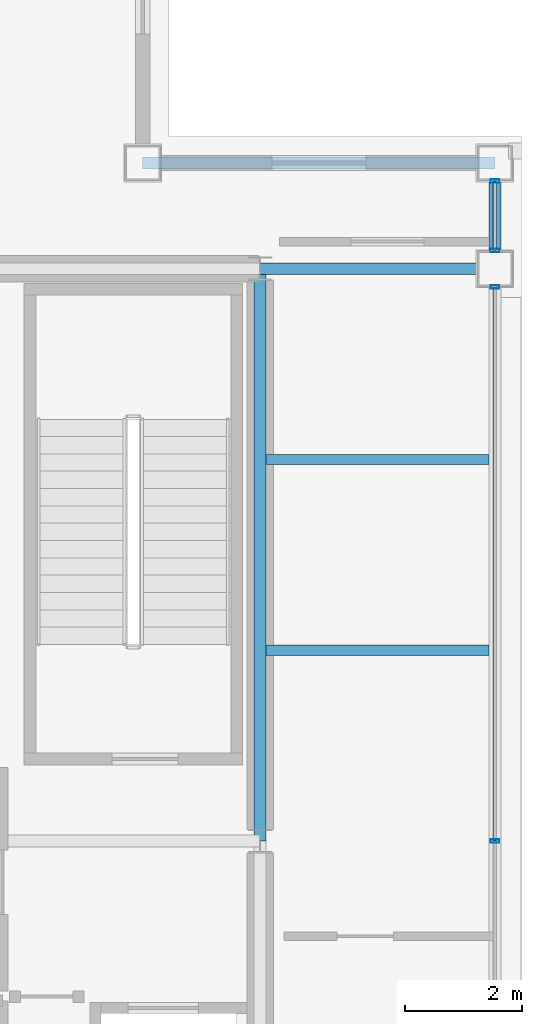
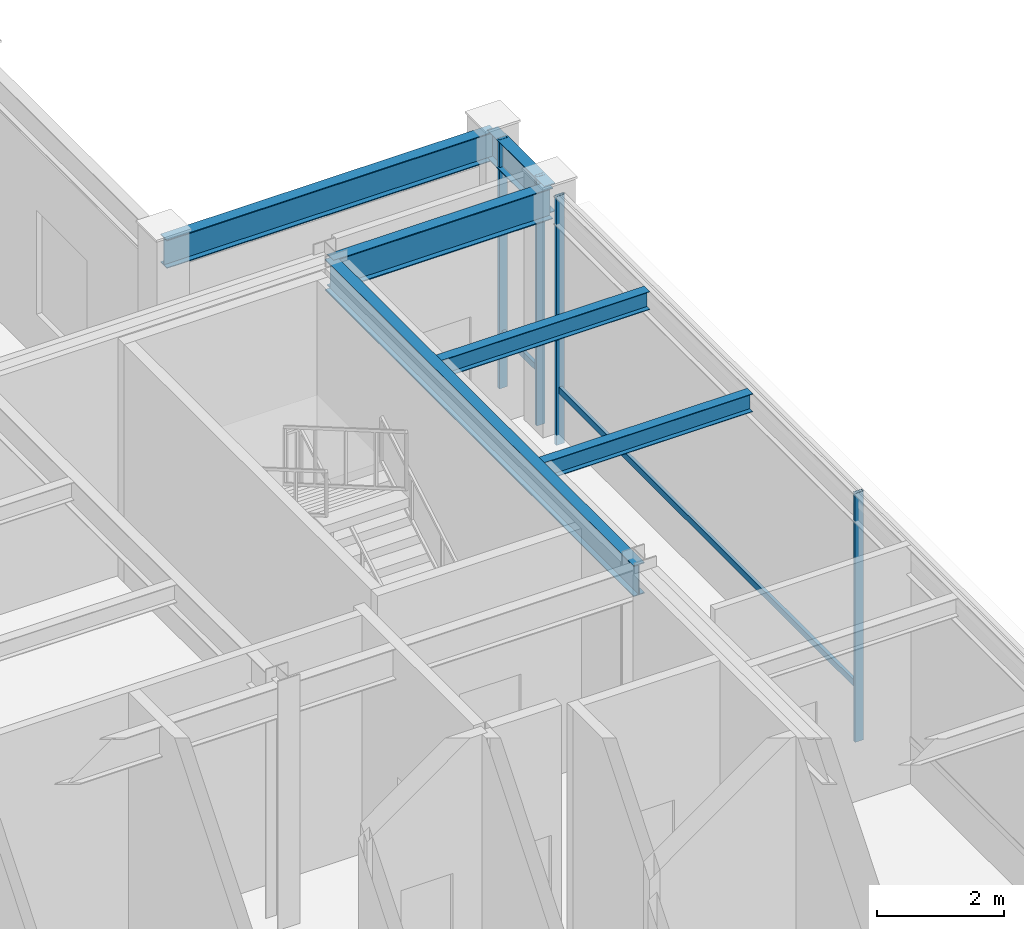
# One storey, part 12 of 21: 6 beams, 6 members, 2 elements without a shape of their own.
"""IFC4 building model written with IfcOpenShell, lengths in metres."""

from ifc_helpers import new_model, si_unit, direction, frame, origin, origin_2d, place, context, subcontext, project, spatial, hollow_rectangle, i_section, extrude, material, layer, layer_set, material_profile, profile_set, type_object, element, aggregate, save


model = new_model("IFC4")

# Units and contexts
model_context = context("Model", 3, precision=1e-05, world=origin(), true_north=direction((0.0, 1.0)))
body_context = subcontext(model_context, "Body", "Model", "MODEL_VIEW")
ifc_project = project(units=[si_unit("LENGTHUNIT", "METRE"), si_unit("AREAUNIT", "SQUARE_METRE"), si_unit("VOLUMEUNIT", "CUBIC_METRE"), si_unit("PLANEANGLEUNIT", "RADIAN"), si_unit("MASSUNIT", "GRAM", prefix="KILO")], contexts=[model_context])

# Site, building, storey
site_placement = place(None, origin())
site = spatial("IfcSite", under=ifc_project, at=site_placement, CompositionType="ELEMENT")
building_placement = place(site_placement, origin())
building = spatial("IfcBuilding", under=site, at=building_placement, Name="Brelmoor Portico Tower", CompositionType="ELEMENT")
storey_placement = place(building_placement, frame((0.0, 0.0, 284.39990234375)))
storey = spatial("IfcBuildingStorey", under=building, at=storey_placement, Name="L75", CompositionType="ELEMENT", Elevation=284.39990234375)

# Beams
ifc_material_1 = material(Name="Steel Q355B", Category="steel")
ifc_material_profile_1 = material_profile(ifc_material_1, i_section(OverallWidth=0.175048828125, OverallDepth=0.35009765625, WebThickness=0.007080078125, FlangeThickness=0.010986328125, at=origin_2d()), Name="HN 350x175x7x11")
ifc_profile_set_1 = profile_set([ifc_material_profile_1], Name="Steel Q355B")
beam_type_1 = type_object("IfcBeamType", Name="BM-JS-350", PredefinedType="JOIST", material=ifc_profile_set_1)
for number, where, z_axis, x_axis, name in (
    (1, (14.64990234375, 3.25, 4.425048828125), (1.0, 0.0, 0.0), (0.0, 1.0, 0.0), "L75 Secondary Wing Joist JS-E13"),
    (2, (14.64990234375, 6.5, 4.425048828125), (1.0, 0.0, 0.0), (0.0, 1.0, 0.0), "L75 Secondary Wing Joist JS-E14"),
):
    element("IfcBeam", number, at=place(storey_placement, frame(where, z_axis=z_axis, x_axis=x_axis)), inside=storey, type_object=beam_type_1, Name=name, PredefinedType="JOIST", context=body_context, shape_type="SweptSolid", body=[
        extrude(i_section(OverallWidth=0.175048828125, OverallDepth=0.35009765625, WebThickness=0.007080078125, FlangeThickness=0.010986328125, at=origin_2d()), origin(), (0.0, 0.0, 1.0), 3.800048828125),
    ])
ifc_material_profile_2 = material_profile(ifc_material_1, i_section(OverallWidth=0.199951171875, OverallDepth=0.60009765625, WebThickness=0.010986328125, FlangeThickness=0.01708984375, at=origin_2d()), Name="HN 600x200x11x17")
ifc_profile_set_2 = profile_set([ifc_material_profile_2], Name="Steel Q355B")
beam_type_2 = type_object("IfcBeamType", Name="BM-PG-600", PredefinedType="BEAM", material=ifc_profile_set_2)
beam_1_placement = place(storey_placement, frame((14.550048828125, 0.0, 4.300048828125), z_axis=(0.0, 1.0, 0.0), x_axis=(-1.0, 0.0, 0.0)))
element("IfcBeam", 3, at=beam_1_placement, inside=storey, type_object=beam_type_2, Name="L75 Primary Floor Girder PG-10", PredefinedType="BEAM", context=body_context, shape_type="SweptSolid", body=[
    extrude(i_section(OverallWidth=0.199951171875, OverallDepth=0.60009765625, WebThickness=0.010986328125, FlangeThickness=0.01708984375, at=origin_2d()), origin(), (0.0, 0.0, 1.0), 9.75),
])
beam_2_placement = place(storey_placement, frame((14.550048828125, 9.75, 4.300048828125), z_axis=(1.0, 0.0, 0.0), x_axis=(0.0, 1.0, 0.0)))
element("IfcBeam", 4, at=beam_2_placement, inside=storey, type_object=beam_type_2, Name="L75 Primary Floor Girder PG-23", PredefinedType="BEAM", context=body_context, shape_type="SweptSolid", body=[
    extrude(i_section(OverallWidth=0.199951171875, OverallDepth=0.60009765625, WebThickness=0.010986328125, FlangeThickness=0.01708984375, at=origin_2d()), origin(), (0.0, 0.0, 1.0), 4.0),
])
ifc_material_profile_3 = material_profile(ifc_material_1, i_section(OverallWidth=0.199951171875, OverallDepth=0.550048828125, WebThickness=0.010009765625, FlangeThickness=0.01611328125, at=origin_2d()), Name="HN 550x200x10x16")
ifc_profile_set_3 = profile_set([ifc_material_profile_3], Name="Steel Q355B")
beam_type_3 = type_object("IfcBeamType", Name="BM-SP-550", PredefinedType="SPANDREL", material=ifc_profile_set_3)
beam_3_placement = place(storey_placement, frame((12.550048828125, 11.550048828125, 4.3251953125), z_axis=(1.0, 0.0, 0.0), x_axis=(0.0, 1.0, 0.0)))
element("IfcBeam", 5, at=beam_3_placement, inside=storey, type_object=beam_type_3, Name="L75 Perimeter Spandrel Beam SP-07", PredefinedType="SPANDREL", context=body_context, shape_type="SweptSolid", body=[
    extrude(i_section(OverallWidth=0.199951171875, OverallDepth=0.550048828125, WebThickness=0.010009765625, FlangeThickness=0.01611328125, at=origin_2d()), origin(), (0.0, 0.0, 1.0), 6.0),
])
beam_4_placement = place(storey_placement, frame((18.550048828125, 9.75, 4.3251953125), z_axis=(0.0, 1.0, 0.0), x_axis=(-1.0, 0.0, 0.0)))
element("IfcBeam", 6, at=beam_4_placement, inside=storey, type_object=beam_type_3, Name="L75 Perimeter Spandrel Beam SP-20", PredefinedType="SPANDREL", context=body_context, shape_type="SweptSolid", body=[
    extrude(i_section(OverallWidth=0.199951171875, OverallDepth=0.550048828125, WebThickness=0.010009765625, FlangeThickness=0.01611328125, at=origin_2d()), origin(), (0.0, 0.0, 1.0), 1.800048828125),
])

# Curtain wall, members
ifc_material_2 = material(Name="Anodised Aluminium Alloy 6063-T6", Category="aluminium")
ifc_layer = layer(ifc_material_2, 0.179931640625)
ifc_layer_set = layer_set([ifc_layer], Name="Anodised Aluminium Alloy 6063-T6")
curtain_wall_type = type_object("IfcCurtainWallType", Name="CW-TOWER-Z4", PredefinedType="NOTDEFINED", material=ifc_layer_set)
curtain_wall_1_placement = place(storey_placement, origin())
curtain_wall_1 = element("IfcCurtainWall", 7, at=curtain_wall_1_placement, inside=storey, type_object=curtain_wall_type, Name="L75 Curtain Wall CW-L75-04-2", PredefinedType="NOTDEFINED")
ifc_material_profile_4 = material_profile(ifc_material_2, hollow_rectangle(XDim=0.06005859375, YDim=0.14990234375, WallThickness=0.00390625, at=origin_2d()), Name="ALU MULLION 60x150")
ifc_profile_set_4 = profile_set([ifc_material_profile_4], Name="Anodised Aluminium Alloy 6063-T6")
member_type_1 = type_object("IfcMemberType", Name="MB-CW-MULL-150", PredefinedType="MULLION", material=ifc_profile_set_4)
member_1_placement = place(storey_placement, frame((18.550048828125, 0.0, -0.199951171875), z_axis=(0.0, 0.0, 1.0), x_axis=(0.0, 1.0, 0.0)))
member_1 = element("IfcMember", 8, at=member_1_placement, type_object=member_type_1, Name="CW-L75-04-2 Mullion 01", PredefinedType="MULLION", context=body_context, shape_type="SweptSolid", body=[
    extrude(hollow_rectangle(XDim=0.06005859375, YDim=0.14990234375, WallThickness=0.00390625, at=origin_2d()), origin(), (0.0, 0.0, 1.0), 4.800048828125),
])
member_2_placement = place(storey_placement, frame((18.550048828125, 9.43994140625, -0.199951171875), z_axis=(0.0, 0.0, 1.0), x_axis=(0.0, 1.0, 0.0)))
member_2 = element("IfcMember", 9, at=member_2_placement, type_object=member_type_1, Name="CW-L75-04-2 Mullion 02", PredefinedType="MULLION", context=body_context, shape_type="SweptSolid", body=[
    extrude(hollow_rectangle(XDim=0.06005859375, YDim=0.14990234375, WallThickness=0.00390625, at=origin_2d()), origin(), (0.0, 0.0, 1.0), 4.800048828125),
])

curtain_wall_2_placement = place(storey_placement, origin())
curtain_wall_2 = element("IfcCurtainWall", 10, at=curtain_wall_2_placement, inside=storey, type_object=curtain_wall_type, Name="L75 Curtain Wall CW-L75-04-3", PredefinedType="NOTDEFINED")
member_3_placement = place(storey_placement, frame((18.550048828125, 10.06005859375, -0.199951171875), z_axis=(0.0, 0.0, 1.0), x_axis=(0.0, 1.0, 0.0)))
member_3 = element("IfcMember", 11, at=member_3_placement, type_object=member_type_1, Name="CW-L75-04-3 Mullion 00", PredefinedType="MULLION", context=body_context, shape_type="SweptSolid", body=[
    extrude(hollow_rectangle(XDim=0.06005859375, YDim=0.14990234375, WallThickness=0.00390625, at=origin_2d()), origin(), (0.0, 0.0, 1.0), 4.800048828125),
])
member_4_placement = place(storey_placement, frame((18.550048828125, 11.239990234375, -0.199951171875), z_axis=(0.0, 0.0, 1.0), x_axis=(0.0, 1.0, 0.0)))
member_4 = element("IfcMember", 12, at=member_4_placement, type_object=member_type_1, Name="CW-L75-04-3 Mullion 01", PredefinedType="MULLION", context=body_context, shape_type="SweptSolid", body=[
    extrude(hollow_rectangle(XDim=0.06005859375, YDim=0.14990234375, WallThickness=0.00390625, at=origin_2d()), origin(), (0.0, 0.0, 1.0), 4.800048828125),
])

# Member
ifc_material_profile_5 = material_profile(ifc_material_2, hollow_rectangle(XDim=0.06005859375, YDim=0.125, WallThickness=0.00341796875, at=origin_2d()), Name="ALU TRANSOM 60x125")
ifc_profile_set_5 = profile_set([ifc_material_profile_5], Name="Anodised Aluminium Alloy 6063-T6")
member_type_2 = type_object("IfcMemberType", Name="MB-CW-TRAN-125", PredefinedType="USERDEFINED", material=ifc_profile_set_5)
member_5_placement = place(storey_placement, frame((18.550048828125, 0.0, 0.85009765625), z_axis=(0.0, 1.0, 0.0), x_axis=(-1.0, 0.0, 0.0)))
member_5 = element("IfcMember", 13, at=member_5_placement, type_object=member_type_2, Name="CW-L75-04-2 Transom 1-01", ObjectType="TRANSOM", PredefinedType="USERDEFINED", context=body_context, shape_type="SweptSolid", body=[
    extrude(hollow_rectangle(XDim=0.06005859375, YDim=0.125, WallThickness=0.00341796875, at=origin_2d()), origin(), (0.0, 0.0, 1.0), 9.43994140625),
])

aggregate(curtain_wall_1, [member_1, member_2, member_5])

member_6_placement = place(storey_placement, frame((18.550048828125, 10.06005859375, 0.85009765625), z_axis=(0.0, 1.0, 0.0), x_axis=(-1.0, 0.0, 0.0)))
member_6 = element("IfcMember", 14, at=member_6_placement, type_object=member_type_2, Name="CW-L75-04-3 Transom 1-00", ObjectType="TRANSOM", PredefinedType="USERDEFINED", context=body_context, shape_type="SweptSolid", body=[
    extrude(hollow_rectangle(XDim=0.06005859375, YDim=0.125, WallThickness=0.00341796875, at=origin_2d()), origin(), (0.0, 0.0, 1.0), 1.179931640625),
])

aggregate(curtain_wall_2, [member_3, member_4, member_6])

save(model, "model.ifc")
